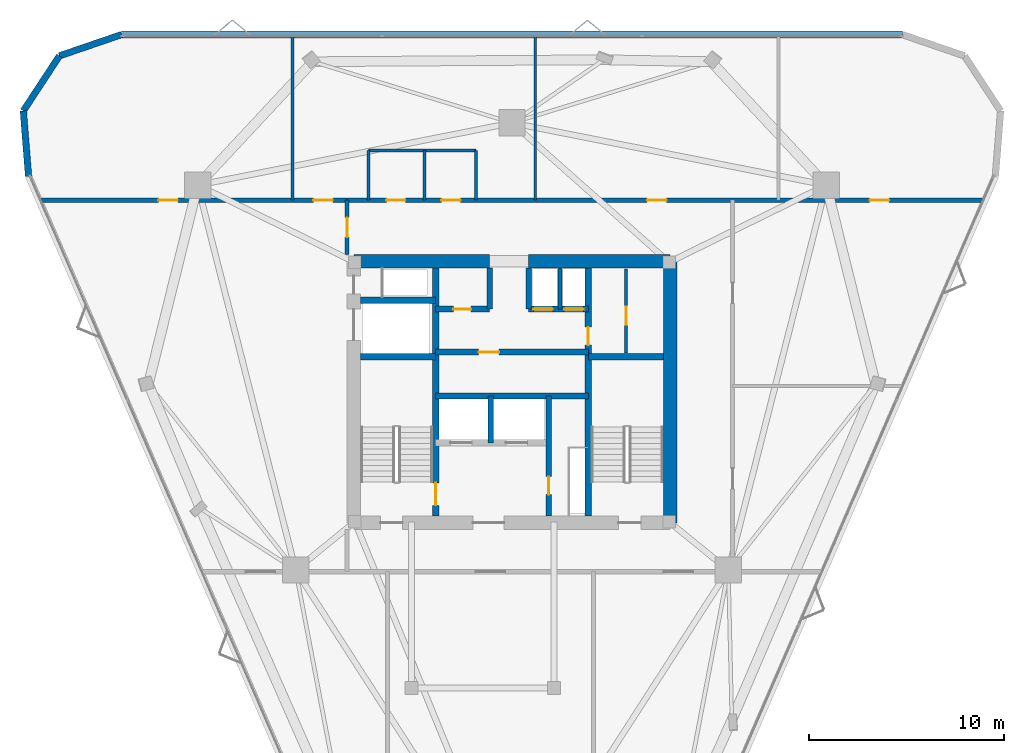
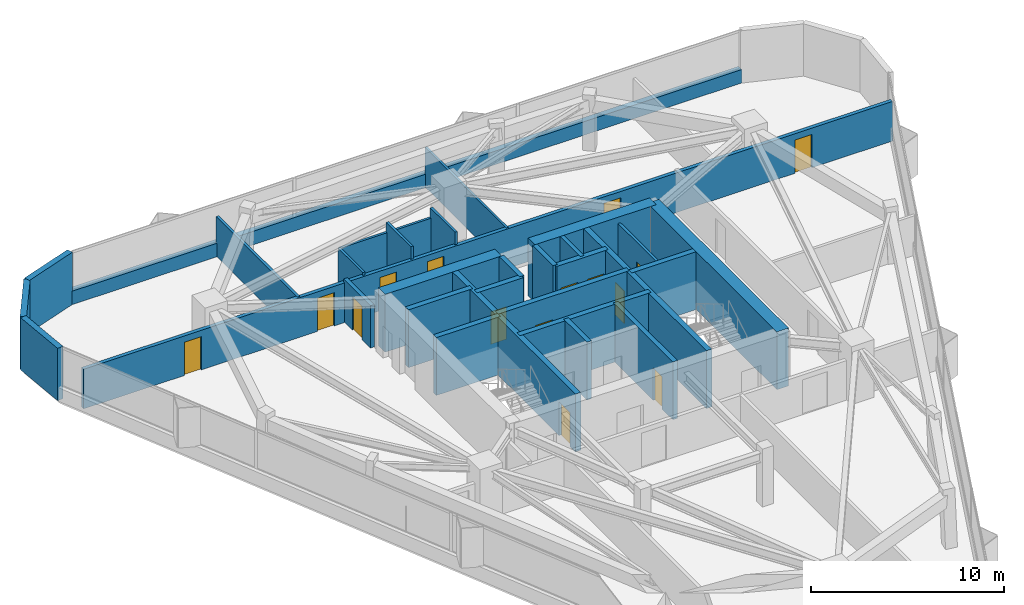
# One storey, part 10 of 12: 30 walls, 15 doors, 15 openings.
"""IFC4 building model written with IfcOpenShell, lengths in metres."""

import ifcopenshell
import ifcopenshell.guid

model = None  # the IFC model being written
_history = None  # IfcOwnerHistory: only IFC2X3 demands one
_inside = {}  # id of a spatial element -> (the spatial element, [elements in it])
_under = {}  # id of a project, library or spatial element -> (it, [spatial elements below it])
_declared = {}  # id of a project -> (the project, [libraries it declares])
_typed = {}  # id of a type object -> (the type object, [elements of that type])
_made_of = {}  # id of a material, layer set ... -> (it, [elements and type objects made of it])


def new_model(schema):
    """Start an empty IFC model of exactly this schema.

    Asked for "IFC4X3", IfcOpenShell would pick the latest addendum, in which some entities
    have other attributes; the version numbers below select the first issue.
    IFC2X3 requires an IfcOwnerHistory on every rooted entity: one is made here for all.
    """
    global model, _history
    if schema == "IFC4X3":
        model = ifcopenshell.file(schema_version=(4, 3, 0, 0))
    else:
        model = ifcopenshell.file(schema=schema)
    _inside.clear()
    _under.clear()
    _declared.clear()
    _typed.clear()
    _made_of.clear()
    _history = None
    if model.schema == "IFC2X3":
        org = make("IfcOrganization", Name="unknown")
        user = make(
            "IfcPersonAndOrganization",
            ThePerson=make("IfcPerson", FamilyName="unknown"),
            TheOrganization=org,
        )
        app = make(
            "IfcApplication",
            ApplicationDeveloper=org,
            Version="unknown",
            ApplicationFullName="unknown",
            ApplicationIdentifier="unknown",
        )
        _history = make(
            "IfcOwnerHistory",
            OwningUser=user,
            OwningApplication=app,
            ChangeAction="ADDED",
            CreationDate=0,
        )
    return model


def make(cls, **values):
    """One entity of the class cls with the attributes given. An attribute that is None is left unset."""
    return model.create_entity(
        cls, **{name: value for name, value in values.items() if value is not None}
    )


def rooted(cls, **values):
    """An entity with a GlobalId (a new one), such as an element, a storey or a relation."""
    return make(cls, GlobalId=ifcopenshell.guid.new(), OwnerHistory=_history, **values)


def si_unit(unit_type, name, prefix=None):
    """IfcSIUnit, for example si_unit("LENGTHUNIT", "METRE", prefix="MILLI")."""
    return make("IfcSIUnit", UnitType=unit_type, Prefix=prefix, Name=name)


def assignment(units):
    """IfcUnitAssignment: the units of a project."""
    return None if units is None else make("IfcUnitAssignment", Units=units)


def point(xyz):
    """IfcCartesianPoint."""
    return None if xyz is None else make("IfcCartesianPoint", Coordinates=xyz)


def direction(xyz):
    """IfcDirection."""
    return None if xyz is None else make("IfcDirection", DirectionRatios=xyz)


def frame(location, z_axis=None, x_axis=None):
    """IfcAxis2Placement3D, a coordinate frame: its origin and axes. An axis left out is left unset."""
    return make(
        "IfcAxis2Placement3D",
        Location=point(location),
        Axis=direction(z_axis),
        RefDirection=direction(x_axis),
    )


def frame_2d(location, x_axis=None):
    """IfcAxis2Placement2D, a coordinate frame in the plane: its origin and x axis."""
    return make(
        "IfcAxis2Placement2D", Location=point(location), RefDirection=direction(x_axis)
    )


def origin():
    """The frame at (0, 0, 0) with its axes left unset."""
    return frame((0.0, 0.0, 0.0))


def place(relative_to, where):
    """IfcLocalPlacement: puts the frame where relative to a parent placement (None: the world)."""
    return make(
        "IfcLocalPlacement", PlacementRelTo=relative_to, RelativePlacement=where
    )


def context(
    kind, dimensions, precision=None, world=None, true_north=None, identifier=None
):
    """IfcGeometricRepresentationContext, for example the 3D "Model" context."""
    return make(
        "IfcGeometricRepresentationContext",
        ContextIdentifier=identifier,
        ContextType=kind,
        CoordinateSpaceDimension=dimensions,
        Precision=precision,
        WorldCoordinateSystem=world,
        TrueNorth=true_north,
    )


def subcontext(parent, identifier, kind, view, scale=None):
    """IfcGeometricRepresentationSubContext, for example "Body" below "Model"."""
    return make(
        "IfcGeometricRepresentationSubContext",
        ContextIdentifier=identifier,
        ContextType=kind,
        ParentContext=parent,
        TargetScale=scale,
        TargetView=view,
    )


def project(units=None, contexts=None):
    """IfcProject with its units and contexts."""
    return rooted(
        "IfcProject",
        Name="project",
        RepresentationContexts=contexts,
        UnitsInContext=assignment(units),
    )


def spatial(cls, under=None, at=None, **own):
    """A site, building, storey or space (cls), placed at a placement, below another one or the project."""
    s = rooted(cls, ObjectPlacement=at, **own)
    if under is not None:
        _under.setdefault(under.id(), (under, []))[1].append(s)
    return s


def profile(cls, at=None, kind="AREA", **sizes):
    """A parametric profile (cls). Its sizes go by their IFC names, for example OverallWidth=200.0."""
    return make(cls, ProfileType=kind, Position=at, **sizes)


def rectangle(**sizes):
    """IfcRectangleProfileDef."""
    return profile("IfcRectangleProfileDef", **sizes)


def extrude(swept, where, along, depth):
    """IfcExtrudedAreaSolid: the profile swept, set in the frame where, extruded along a direction by depth."""
    return make(
        "IfcExtrudedAreaSolid",
        SweptArea=swept,
        Position=where,
        ExtrudedDirection=direction(along),
        Depth=depth,
    )


def shape(context_of_items, identifier, shape_type, items):
    """IfcShapeRepresentation: the items that make up one representation, for example the "Body"."""
    return make(
        "IfcShapeRepresentation",
        ContextOfItems=context_of_items,
        RepresentationIdentifier=identifier,
        RepresentationType=shape_type,
        Items=items,
    )


def material(Name=None, Category=None):
    """IfcMaterial."""
    return make("IfcMaterial", Name=Name, Category=Category)


def layer(
    of_material, thickness, ventilated=None, Name=None, Category=None, Priority=None
):
    """IfcMaterialLayer: one layer of a wall or slab, of a material (None: an air gap)."""
    return make(
        "IfcMaterialLayer",
        Material=of_material,
        LayerThickness=thickness,
        IsVentilated=ventilated,
        Name=Name,
        Category=Category,
        Priority=Priority,
    )


def layer_set(layers, Name=None):
    """IfcMaterialLayerSet."""
    return make("IfcMaterialLayerSet", MaterialLayers=layers, LayerSetName=Name)


def made_of(thing, what):
    """Note that an element or type object is made of a material, layer set ...; save() writes the relation."""
    if what is not None:
        _made_of.setdefault(what.id(), (what, []))[1].append(thing)
    return thing


def type_object(cls, material=None, **own):
    """A type object (cls), such as IfcWallType, which elements share."""
    return made_of(rooted(cls, **own), material)


def element(
    cls,
    number,
    at=None,
    inside=None,
    cuts=None,
    type_object=None,
    material=None,
    context=None,
    identifier="Body",
    shape_type=None,
    held_by="IfcProductDefinitionShape",
    body=None,
    shapes=None,
    **own,
):
    """One element of the class cls, such as IfcWall. Its Tag is "e" and its number.

    at: its placement. inside: the storey or other place that contains it. cuts: it is an
    opening in that element (IfcRelVoidsElement). A single representation is given by context,
    identifier, shape_type and body (its items); several are given by shapes. held_by: the class
    of the entity that holds the representations. save() writes the other relations.
    """
    e = rooted(cls, Tag="e%d" % number, ObjectPlacement=at, **own)
    if body is not None:
        shapes = [shape(context, identifier, shape_type, body)]
    if shapes is not None:
        e.Representation = make(held_by, Representations=shapes)
    if inside is not None:
        _inside.setdefault(inside.id(), (inside, []))[1].append(e)
    if cuts is not None:
        rooted(
            "IfcRelVoidsElement", RelatingBuildingElement=cuts, RelatedOpeningElement=e
        )
    if type_object is not None:
        _typed.setdefault(type_object.id(), (type_object, []))[1].append(e)
    return made_of(e, material)


def fill(opening, filler):
    """IfcRelFillsElement: the door or window that sits in an opening."""
    return rooted(
        "IfcRelFillsElement",
        RelatingOpeningElement=opening,
        RelatedBuildingElement=filler,
    )


def aggregate(whole, parts):
    """IfcRelAggregates: a whole, such as a stair, and the parts it consists of."""
    return rooted("IfcRelAggregates", RelatingObject=whole, RelatedObjects=parts)


def save(model, path):
    """Write the relations noted so far, then the file.

    IfcRelAggregates (storeys below a building ...), IfcRelContainedInSpatialStructure (elements
    in a storey), IfcRelDefinesByType, IfcRelAssociatesMaterial and IfcRelDeclares: one each for
    every whole, place, type object, material and project.
    """
    for whole, parts in _under.values():
        aggregate(whole, parts)
    for where, things in _inside.values():
        rooted(
            "IfcRelContainedInSpatialStructure",
            RelatedElements=things,
            RelatingStructure=where,
        )
    for kind, things in _typed.values():
        rooted("IfcRelDefinesByType", RelatedObjects=things, RelatingType=kind)
    for what, things in _made_of.values():
        rooted("IfcRelAssociatesMaterial", RelatedObjects=things, RelatingMaterial=what)
    for by, libraries in _declared.values():
        rooted("IfcRelDeclares", RelatingContext=by, RelatedDefinitions=libraries)
    model.write(path)


model = new_model("IFC4")

# Units and contexts
model_context = context("Model", 3, precision=1e-05, world=origin(), true_north=direction((0.0, 1.0)))
body_context = subcontext(model_context, "Body", "Model", "MODEL_VIEW")
ifc_project = project(units=[si_unit("LENGTHUNIT", "METRE"), si_unit("AREAUNIT", "SQUARE_METRE"), si_unit("VOLUMEUNIT", "CUBIC_METRE"), si_unit("PLANEANGLEUNIT", "RADIAN"), si_unit("MASSUNIT", "GRAM", prefix="KILO")], contexts=[model_context])

# Site, building, storey
site_placement = place(None, origin())
site = spatial("IfcSite", under=ifc_project, at=site_placement, CompositionType="ELEMENT")
building_placement = place(site_placement, origin())
building = spatial("IfcBuilding", under=site, at=building_placement, Name="Talyreon Biosciences Tower", CompositionType="ELEMENT")
storey_placement = place(building_placement, frame((0.0, 0.0, 219.550048828125)))
storey = spatial("IfcBuildingStorey", under=building, at=storey_placement, Name="L58", CompositionType="ELEMENT", Elevation=219.550048828125)

# Walls
ifc_material_1 = material(Name="Concrete C50/60", Category="concrete")
ifc_layer_1 = layer(ifc_material_1, 0.219970703125)
ifc_layer_set_1 = layer_set([ifc_layer_1], Name="Concrete C50/60")
wall_type_1 = type_object("IfcWallType", Name="CoreShearWall_220", PredefinedType="SHEAR", material=ifc_layer_set_1)
wall_1_placement = place(storey_placement, frame((68.4599609375, 72.25, 0.0), z_axis=(0.0, 0.0, 1.0), x_axis=(0.0, 1.0, 0.0)))
element("IfcWall", 1, at=wall_1_placement, inside=storey, type_object=wall_type_1, Name="L58 Core Shaft Wall SWPHD", PredefinedType="SHEAR", context=body_context, shape_type="SweptSolid", body=[
    extrude(rectangle(XDim=2.10009765625, YDim=0.219970703125, at=frame_2d((1.050048828125, 0.0))), origin(), (0.0, 0.0, 1.0), 3.64990234375),
])
ifc_layer_2 = layer(ifc_material_1, 0.280029296875)
ifc_layer_set_2 = layer_set([ifc_layer_2], Name="Concrete C50/60")
wall_type_2 = type_object("IfcWallType", Name="CoreShearWall_280", PredefinedType="SHEAR", material=ifc_layer_set_2)
wall_2_placement = place(storey_placement, frame((64.919921875, 65.39990234375, 0.0), z_axis=(0.0, 0.0, 1.0), x_axis=(0.0, 1.0, 0.0)))
element("IfcWall", 2, at=wall_2_placement, inside=storey, type_object=wall_type_2, Name="L58 Core Shaft Wall SWSHD1", PredefinedType="SHEAR", context=body_context, shape_type="SweptSolid", body=[
    extrude(rectangle(XDim=2.400146484375, YDim=0.280029296875, at=frame_2d((1.2001953125, 0.0))), origin(), (0.0, 0.0, 1.0), 3.64990234375),
])
for number, where, z_axis, x_axis, name in (
    (3, (64.85009765625, 72.25, 0.0), (0.0, 0.0, 1.0), (0.0, 1.0, 0.0), "L58 Core Shaft Wall SWTHW"),
    (4, (66.85009765625, 72.25, 0.0), (0.0, 0.0, 1.0), (0.0, 1.0, 0.0), "L58 Core Shaft Wall SWTHE"),
):
    element("IfcWall", number, at=place(storey_placement, frame(where, z_axis=z_axis, x_axis=x_axis)), inside=storey, type_object=wall_type_2, Name=name, PredefinedType="SHEAR", context=body_context, shape_type="SweptSolid", body=[
        extrude(rectangle(XDim=2.10009765625, YDim=0.280029296875, at=frame_2d((1.050048828125, 0.0))), origin(), (0.0, 0.0, 1.0), 3.64990234375),
    ])

# Wall, opening, door
wall_3_placement = place(storey_placement, frame((67.8798828125, 61.64990234375, 0.0), z_axis=(0.0, 0.0, 1.0), x_axis=(0.0, 1.0, 0.0)))
wall_3 = element("IfcWall", 5, at=wall_3_placement, inside=storey, type_object=wall_type_2, Name="L58 Core Shaft Wall SWFFE", PredefinedType="SHEAR", context=body_context, shape_type="SweptSolid", body=[
    extrude(rectangle(XDim=6.150146484375, YDim=0.280029296875, at=frame_2d((3.0751953125, 0.0))), origin(), (0.0, 0.0, 1.0), 3.64990234375),
])
opening_1_placement = place(wall_3_placement, frame((1.10009765625, 0.0, 0.0)))
opening_1 = element("IfcOpeningElement", 6, at=opening_1_placement, cuts=wall_3, Name="Opening DR-L58-RSE", PredefinedType="OPENING", context=body_context, shape_type="SweptSolid", body=[
    extrude(rectangle(XDim=0.919921875, YDim=2.050048828125, at=frame_2d((0.4599609375, 1.02490234375))), frame((0.0, 0.14990234375, 0.0), z_axis=(0.0, -1.0, 0.0), x_axis=(1.0, 0.0, 0.0)), (0.0, 0.0, 1.0), 0.300048828125),
])
ifc_material_2 = material(Name="Painted steel fire-rated riser door", Category="steel")
door_type_1 = type_object("IfcDoorType", Name="RiserPlantAccessDoor_920x2050", OperationType="NOTDEFINED", PredefinedType="DOOR", material=ifc_material_2)
door_1_placement = place(opening_1_placement, origin())
door_1 = element("IfcDoor", 7, at=door_1_placement, inside=storey, type_object=door_type_1, Name="L58 Core Door DR-L58-RSE", OperationType="SINGLE_SWING_RIGHT", OverallHeight=2.050048828125, OverallWidth=0.919921875, PredefinedType="DOOR", context=body_context, shape_type="SweptSolid", body=[
    extrude(rectangle(XDim=0.919921875, YDim=2.050048828125, at=frame_2d((0.4599609375, 1.02490234375))), frame((0.0, 0.02490234375, 0.0), z_axis=(0.0, -1.0, 0.0), x_axis=(1.0, 0.0, 0.0)), (0.0, 0.0, 1.0), 0.050048828125),
])
fill(opening_1, door_1)

ifc_layer_3 = layer(ifc_material_1, 0.320068359375)
ifc_layer_set_3 = layer_set([ifc_layer_3], Name="Concrete C50/60")
wall_type_3 = type_object("IfcWallType", Name="CoreShearWall_320", PredefinedType="SHEAR", material=ifc_layer_set_3)
wall_4_placement = place(storey_placement, frame((62.090087890625, 61.64990234375, 0.0), z_axis=(0.0, 0.0, 1.0), x_axis=(0.0, 1.0, 0.0)))
wall_4 = element("IfcWall", 8, at=wall_4_placement, inside=storey, type_object=wall_type_3, Name="L58 Core Shaft Wall SW1E", PredefinedType="SHEAR", context=body_context, shape_type="SweptSolid", body=[
    extrude(rectangle(XDim=12.7001953125, YDim=0.320068359375, at=frame_2d((6.35009765625, 0.0))), origin(), (0.0, 0.0, 1.0), 3.64990234375),
])
opening_2_placement = place(wall_4_placement, frame((0.550048828125, 0.0, 0.0)))
opening_2 = element("IfcOpeningElement", 9, at=opening_2_placement, cuts=wall_4, Name="Opening DR-L58-FF-ST1", PredefinedType="OPENING", context=body_context, shape_type="SweptSolid", body=[
    extrude(rectangle(XDim=1.14990234375, YDim=2.14990234375, at=frame_2d((0.574951171875, 1.074951171875))), frame((0.0, 0.169921875, 0.0), z_axis=(0.0, -1.0, 0.0), x_axis=(1.0, 0.0, 0.0)), (0.0, 0.0, 1.0), 0.340087890625),
])
ifc_material_3 = material(Name="Painted steel fire door", Category="steel")
door_type_2 = type_object("IfcDoorType", Name="StairShaftFireDoor_1150x2150", OperationType="NOTDEFINED", PredefinedType="DOOR", material=ifc_material_3)
door_2_placement = place(opening_2_placement, origin())
door_2 = element("IfcDoor", 10, at=door_2_placement, inside=storey, type_object=door_type_2, Name="L58 Core Door DR-L58-FF-ST1", OperationType="SINGLE_SWING_LEFT", OverallHeight=2.14990234375, OverallWidth=1.14990234375, PredefinedType="DOOR", context=body_context, shape_type="SweptSolid", body=[
    extrude(rectangle(XDim=1.14990234375, YDim=2.14990234375, at=frame_2d((0.574951171875, 1.074951171875))), frame((0.0, 0.02490234375, 0.0), z_axis=(0.0, -1.0, 0.0), x_axis=(1.0, 0.0, 0.0)), (0.0, 0.0, 1.0), 0.050048828125),
])
fill(opening_2, door_2)

wall_5_placement = place(storey_placement, frame((69.909912109375, 61.64990234375, 0.0), z_axis=(0.0, 0.0, 1.0), x_axis=(0.0, 1.0, 0.0)))
wall_5 = element("IfcWall", 11, at=wall_5_placement, inside=storey, type_object=wall_type_3, Name="L58 Core Shaft Wall SW2W", PredefinedType="SHEAR", context=body_context, shape_type="SweptSolid", body=[
    extrude(rectangle(XDim=12.7001953125, YDim=0.320068359375, at=frame_2d((6.35009765625, 0.0))), origin(), (0.0, 0.0, 1.0), 3.64990234375),
])
opening_3_placement = place(wall_5_placement, frame((8.75, 0.0, 0.0)))
opening_3 = element("IfcOpeningElement", 12, at=opening_3_placement, cuts=wall_5, Name="Opening DR-L58-CSRV", PredefinedType="OPENING", context=body_context, shape_type="SweptSolid", body=[
    extrude(rectangle(XDim=0.919921875, YDim=2.050048828125, at=frame_2d((0.4599609375, 1.02490234375))), frame((0.0, 0.169921875, 0.0), z_axis=(0.0, -1.0, 0.0), x_axis=(1.0, 0.0, 0.0)), (0.0, 0.0, 1.0), 0.340087890625),
])
door_3_placement = place(opening_3_placement, origin())
door_3 = element("IfcDoor", 13, at=door_3_placement, inside=storey, type_object=door_type_1, Name="L58 Core Door DR-L58-CSRV", OperationType="SINGLE_SWING_RIGHT", OverallHeight=2.050048828125, OverallWidth=0.919921875, PredefinedType="DOOR", context=body_context, shape_type="SweptSolid", body=[
    extrude(rectangle(XDim=0.919921875, YDim=2.050048828125, at=frame_2d((0.4599609375, 1.02490234375))), frame((0.0, 0.02490234375, 0.0), z_axis=(0.0, -1.0, 0.0), x_axis=(1.0, 0.0, 0.0)), (0.0, 0.0, 1.0), 0.050048828125),
])
fill(opening_3, door_3)

# Walls
for number, where, z_axis, x_axis, name in (
    (14, (58.25, 69.81005859375, 0.0), (0.0, 0.0, 1.0), (1.0, 0.0, 0.0), "L58 Core Shaft Wall SW1N"),
    (15, (69.909912109375, 69.81005859375, 0.0), (0.0, 0.0, 1.0), (1.0, 0.0, 0.0), "L58 Core Shaft Wall SW2N"),
    (16, (58.25, 72.699951171875, 0.0), (0.0, 0.0, 1.0), (1.0, 0.0, 0.0), "L58 Core Shaft Wall SWGLN"),
):
    element("IfcWall", number, at=place(storey_placement, frame(where, z_axis=z_axis, x_axis=x_axis)), inside=storey, type_object=wall_type_3, Name=name, PredefinedType="SHEAR", context=body_context, shape_type="SweptSolid", body=[
        extrude(rectangle(XDim=3.840087890625, YDim=0.320068359375, at=frame_2d((1.919921875, 0.0))), origin(), (0.0, 0.0, 1.0), 3.64990234375),
    ])
wall_6_placement = place(storey_placement, frame((62.090087890625, 67.800048828125, 0.0), z_axis=(0.0, 0.0, 1.0), x_axis=(1.0, 0.0, 0.0)))
element("IfcWall", 17, at=wall_6_placement, inside=storey, type_object=wall_type_3, Name="L58 Core Shaft Wall SWSHM", PredefinedType="SHEAR", context=body_context, shape_type="SweptSolid", body=[
    extrude(rectangle(XDim=7.81982421875, YDim=0.320068359375, at=frame_2d((3.909912109375, 0.0))), origin(), (0.0, 0.0, 1.0), 3.64990234375),
])

# Wall, opening, door
wall_7_placement = place(storey_placement, frame((62.090087890625, 70.050048828125, 0.0), z_axis=(0.0, 0.0, 1.0), x_axis=(1.0, 0.0, 0.0)))
wall_7 = element("IfcWall", 18, at=wall_7_placement, inside=storey, type_object=wall_type_3, Name="L58 Core Shaft Wall SWSPN", PredefinedType="SHEAR", context=body_context, shape_type="SweptSolid", body=[
    extrude(rectangle(XDim=7.81982421875, YDim=0.320068359375, at=frame_2d((3.909912109375, 0.0))), origin(), (0.0, 0.0, 1.0), 3.64990234375),
])
opening_4_placement = place(wall_7_placement, frame((2.199951171875, 0.0, 0.0)))
opening_4 = element("IfcOpeningElement", 19, at=opening_4_placement, cuts=wall_7, Name="Opening DR-L58-PLPMFREE", PredefinedType="OPENING", context=body_context, shape_type="SweptSolid", body=[
    extrude(rectangle(XDim=1.050048828125, YDim=2.14990234375, at=frame_2d((0.52490234375, 1.074951171875))), frame((0.0, 0.169921875, 0.0), z_axis=(0.0, -1.0, 0.0), x_axis=(1.0, 0.0, 0.0)), (0.0, 0.0, 1.0), 0.340087890625),
])
ifc_material_4 = material(Name="Acoustic timber-core laboratory door", Category="wood")
door_type_3 = type_object("IfcDoorType", Name="DryLabSingleDoor_1050x2150", OperationType="NOTDEFINED", PredefinedType="DOOR", material=ifc_material_4)
door_4_placement = place(opening_4_placement, origin())
door_4 = element("IfcDoor", 20, at=door_4_placement, inside=storey, type_object=door_type_3, Name="L58 Core Door DR-L58-PLPMFREE", OperationType="SINGLE_SWING_LEFT", OverallHeight=2.14990234375, OverallWidth=1.050048828125, PredefinedType="DOOR", context=body_context, shape_type="SweptSolid", body=[
    extrude(rectangle(XDim=1.050048828125, YDim=2.14990234375, at=frame_2d((0.52490234375, 1.074951171875))), frame((0.0, 0.02490234375, 0.0), z_axis=(0.0, -1.0, 0.0), x_axis=(1.0, 0.0, 0.0)), (0.0, 0.0, 1.0), 0.050048828125),
])
fill(opening_4, door_4)

wall_8_placement = place(storey_placement, frame((62.090087890625, 72.25, 0.0), z_axis=(0.0, 0.0, 1.0), x_axis=(1.0, 0.0, 0.0)))
wall_8 = element("IfcWall", 21, at=wall_8_placement, inside=storey, type_object=wall_type_3, Name="L58 Core Shaft Wall SWNPW", PredefinedType="SHEAR", context=body_context, shape_type="SweptSolid", body=[
    extrude(rectangle(XDim=2.760009765625, YDim=0.320068359375, at=frame_2d((1.3798828125, 0.0))), origin(), (0.0, 0.0, 1.0), 3.64990234375),
])
opening_5_placement = place(wall_8_placement, frame((0.89990234375, 0.0, 0.0)))
opening_5 = element("IfcOpeningElement", 22, at=opening_5_placement, cuts=wall_8, Name="Opening DR-L58-PM2FREE", PredefinedType="OPENING", context=body_context, shape_type="SweptSolid", body=[
    extrude(rectangle(XDim=0.919921875, YDim=2.050048828125, at=frame_2d((0.4599609375, 1.02490234375))), frame((0.0, 0.169921875, 0.0), z_axis=(0.0, -1.0, 0.0), x_axis=(1.0, 0.0, 0.0)), (0.0, 0.0, 1.0), 0.340087890625),
])
door_5_placement = place(opening_5_placement, origin())
door_5 = element("IfcDoor", 23, at=door_5_placement, inside=storey, type_object=door_type_1, Name="L58 Core Door DR-L58-PM2FREE", OperationType="SINGLE_SWING_RIGHT", OverallHeight=2.050048828125, OverallWidth=0.919921875, PredefinedType="DOOR", context=body_context, shape_type="SweptSolid", body=[
    extrude(rectangle(XDim=0.919921875, YDim=2.050048828125, at=frame_2d((0.4599609375, 1.02490234375))), frame((0.0, 0.02490234375, 0.0), z_axis=(0.0, -1.0, 0.0), x_axis=(1.0, 0.0, 0.0)), (0.0, 0.0, 1.0), 0.050048828125),
])
fill(opening_5, door_5)

# Wall, openings, doors
wall_9_placement = place(storey_placement, frame((66.85009765625, 72.25, 0.0), z_axis=(0.0, 0.0, 1.0), x_axis=(1.0, 0.0, 0.0)))
wall_9 = element("IfcWall", 24, at=wall_9_placement, inside=storey, type_object=wall_type_3, Name="L58 Core Shaft Wall SWNPE", PredefinedType="SHEAR", context=body_context, shape_type="SweptSolid", body=[
    extrude(rectangle(XDim=3.059814453125, YDim=0.320068359375, at=frame_2d((1.52978515625, 0.0))), origin(), (0.0, 0.0, 1.0), 3.64990234375),
])
opening_6_placement = place(wall_9_placement, frame((0.25, 0.0, 0.0)))
opening_6 = element("IfcOpeningElement", 25, at=opening_6_placement, cuts=wall_9, Name="Opening LD-L58-PH1", PredefinedType="OPENING", context=body_context, shape_type="SweptSolid", body=[
    extrude(rectangle(XDim=1.0, YDim=2.199951171875, at=frame_2d((0.5, 1.10009765625))), frame((0.0, 0.169921875, 0.0), z_axis=(0.0, -1.0, 0.0), x_axis=(1.0, 0.0, 0.0)), (0.0, 0.0, 1.0), 0.340087890625),
])
opening_7_placement = place(wall_9_placement, frame((1.820068359375, 0.0, 0.0)))
opening_7 = element("IfcOpeningElement", 26, at=opening_7_placement, cuts=wall_9, Name="Opening LD-L58-PH2", PredefinedType="OPENING", context=body_context, shape_type="SweptSolid", body=[
    extrude(rectangle(XDim=1.0, YDim=2.199951171875, at=frame_2d((0.5, 1.10009765625))), frame((0.0, 0.169921875, 0.0), z_axis=(0.0, -1.0, 0.0), x_axis=(1.0, 0.0, 0.0)), (0.0, 0.0, 1.0), 0.340087890625),
])
ifc_material_5 = material(Name="Brushed stainless-steel lift landing door", Category="steel")
door_type_4 = type_object("IfcDoorType", Name="LiftSlidingLandingDoor_1100x2200", OperationType="SLIDING_TO_LEFT", PredefinedType="DOOR", material=ifc_material_5)
door_6_placement = place(opening_6_placement, origin())
door_6 = element("IfcDoor", 27, at=door_6_placement, inside=storey, type_object=door_type_4, Name="L58 Core Door LD-L58-PH1", OperationType="SLIDING_TO_LEFT", OverallHeight=2.199951171875, OverallWidth=1.0, PredefinedType="DOOR", context=body_context, shape_type="SweptSolid", body=[
    extrude(rectangle(XDim=1.0, YDim=2.199951171875, at=frame_2d((0.5, 1.10009765625))), frame((0.0, 0.02490234375, 0.0), z_axis=(0.0, -1.0, 0.0), x_axis=(1.0, 0.0, 0.0)), (0.0, 0.0, 1.0), 0.050048828125),
])
fill(opening_6, door_6)
door_7_placement = place(opening_7_placement, origin())
door_7 = element("IfcDoor", 28, at=door_7_placement, inside=storey, type_object=door_type_4, Name="L58 Core Door LD-L58-PH2", OperationType="SLIDING_TO_LEFT", OverallHeight=2.199951171875, OverallWidth=1.0, PredefinedType="DOOR", context=body_context, shape_type="SweptSolid", body=[
    extrude(rectangle(XDim=1.0, YDim=2.199951171875, at=frame_2d((0.5, 1.10009765625))), frame((0.0, 0.02490234375, 0.0), z_axis=(0.0, -1.0, 0.0), x_axis=(1.0, 0.0, 0.0)), (0.0, 0.0, 1.0), 0.050048828125),
])
fill(opening_7, door_7)

# Walls
ifc_layer_4 = layer(ifc_material_1, 0.699951171875)
ifc_layer_set_4 = layer_set([ifc_layer_4], Name="Concrete C50/60")
wall_type_4 = type_object("IfcWallType", Name="CoreShearWall_700", PredefinedType="SHEAR", material=ifc_layer_set_4)
wall_10_placement = place(storey_placement, frame((74.10009765625, 61.300048828125, 0.0), z_axis=(0.0, 0.0, 1.0), x_axis=(0.0, 1.0, 0.0)))
element("IfcWall", 29, at=wall_10_placement, inside=storey, type_object=wall_type_4, Name="L58 Core Shear Wall E", PredefinedType="SHEAR", context=body_context, shape_type="SweptSolid", body=[
    extrude(rectangle(XDim=13.39990234375, YDim=0.699951171875, at=frame_2d((6.699951171875, 0.0))), origin(), (0.0, 0.0, 1.0), 3.64990234375),
])
wall_11_placement = place(storey_placement, frame((74.10009765625, 74.699951171875, 0.0), z_axis=(0.0, 0.0, 1.0), x_axis=(-1.0, 0.0, 0.0)))
element("IfcWall", 30, at=wall_11_placement, inside=storey, type_object=wall_type_4, Name="L58 Core Shear Wall NE", PredefinedType="SHEAR", context=body_context, shape_type="SweptSolid", body=[
    extrude(rectangle(XDim=7.25, YDim=0.699951171875, at=frame_2d((3.625, 0.0))), origin(), (0.0, 0.0, 1.0), 3.64990234375),
])
wall_12_placement = place(storey_placement, frame((64.85009765625, 74.699951171875, 0.0), z_axis=(0.0, 0.0, 1.0), x_axis=(-1.0, 0.0, 0.0)))
element("IfcWall", 31, at=wall_12_placement, inside=storey, type_object=wall_type_4, Name="L58 Core Shear Wall NW", PredefinedType="SHEAR", context=body_context, shape_type="SweptSolid", body=[
    extrude(rectangle(XDim=6.9501953125, YDim=0.699951171875, at=frame_2d((3.47509765625, 0.0))), origin(), (0.0, 0.0, 1.0), 3.64990234375),
])

# Wall, openings, doors
ifc_material_6 = material(Name="Gypsum fireboard acoustic stud", Category="gypsum")
ifc_layer_5 = layer(ifc_material_6, 0.219970703125)
ifc_layer_set_5 = layer_set([ifc_layer_5], Name="Gypsum fireboard acoustic stud")
wall_type_5 = type_object("IfcWallType", Name="CorridorRatedPartition_220", PredefinedType="PARTITIONING", material=ifc_layer_set_5)
wall_13_placement = place(storey_placement, frame((41.8515625, 77.830078125, 0.0), z_axis=(0.0, 0.0, 1.0), x_axis=(1.0, 0.0, 0.0)))
wall_13 = element("IfcWall", 32, at=wall_13_placement, inside=storey, type_object=wall_type_5, Name="L58 Interior Wall IW-L58-COR-N", PredefinedType="PARTITIONING", context=body_context, shape_type="SweptSolid", body=[
    extrude(rectangle(XDim=48.296875, YDim=0.219970703125, at=frame_2d((24.1484375, 0.0))), origin(), (0.0, 0.0, 1.0), 2.5),
])
opening_8_placement = place(wall_13_placement, frame((17.7080078125, 0.0, 0.0)))
opening_8 = element("IfcOpeningElement", 33, at=opening_8_placement, cuts=wall_13, Name="Opening DR-L58-WC", PredefinedType="OPENING", context=body_context, shape_type="SweptSolid", body=[
    extrude(rectangle(XDim=0.97998046875, YDim=2.10009765625, at=frame_2d((0.489990234375, 1.050048828125))), frame((0.0, 0.119873046875, 0.0), z_axis=(0.0, -1.0, 0.0), x_axis=(1.0, 0.0, 0.0)), (0.0, 0.0, 1.0), 0.239990234375),
])
opening_9_placement = place(wall_13_placement, frame((20.532958984375, 0.0, 0.0)))
opening_9 = element("IfcOpeningElement", 34, at=opening_9_placement, cuts=wall_13, Name="Opening DR-L58-AWC", PredefinedType="OPENING", context=body_context, shape_type="SweptSolid", body=[
    extrude(rectangle(XDim=0.97998046875, YDim=2.10009765625, at=frame_2d((0.489990234375, 1.050048828125))), frame((0.0, 0.119873046875, 0.0), z_axis=(0.0, -1.0, 0.0), x_axis=(1.0, 0.0, 0.0)), (0.0, 0.0, 1.0), 0.239990234375),
])
opening_10_placement = place(wall_13_placement, frame((6.02587890625, 0.0, 0.0)))
opening_10 = element("IfcOpeningElement", 35, at=opening_10_placement, cuts=wall_13, Name="Opening DR-L58-N1A", PredefinedType="OPENING", context=body_context, shape_type="SweptSolid", body=[
    extrude(rectangle(XDim=1.0, YDim=2.10009765625, at=frame_2d((0.5, 1.050048828125))), frame((0.0, 0.119873046875, 0.0), z_axis=(0.0, -1.0, 0.0), x_axis=(1.0, 0.0, 0.0)), (0.0, 0.0, 1.0), 0.239990234375),
])
opening_11_placement = place(wall_13_placement, frame((13.968017578125, 0.0, 0.0)))
opening_11 = element("IfcOpeningElement", 36, at=opening_11_placement, cuts=wall_13, Name="Opening DR-L58-N2A", PredefinedType="OPENING", context=body_context, shape_type="SweptSolid", body=[
    extrude(rectangle(XDim=1.0, YDim=2.10009765625, at=frame_2d((0.5, 1.050048828125))), frame((0.0, 0.119873046875, 0.0), z_axis=(0.0, -1.0, 0.0), x_axis=(1.0, 0.0, 0.0)), (0.0, 0.0, 1.0), 0.239990234375),
])
opening_12_placement = place(wall_13_placement, frame((31.072021484375, 0.0, 0.0)))
opening_12 = element("IfcOpeningElement", 37, at=opening_12_placement, cuts=wall_13, Name="Opening DR-L58-N3A", PredefinedType="OPENING", context=body_context, shape_type="SweptSolid", body=[
    extrude(rectangle(XDim=1.0, YDim=2.10009765625, at=frame_2d((0.5, 1.050048828125))), frame((0.0, 0.119873046875, 0.0), z_axis=(0.0, -1.0, 0.0), x_axis=(1.0, 0.0, 0.0)), (0.0, 0.0, 1.0), 0.239990234375),
])
opening_13_placement = place(wall_13_placement, frame((42.470947265625, 0.0, 0.0)))
opening_13 = element("IfcOpeningElement", 38, at=opening_13_placement, cuts=wall_13, Name="Opening DR-L58-N4A", PredefinedType="OPENING", context=body_context, shape_type="SweptSolid", body=[
    extrude(rectangle(XDim=1.0, YDim=2.10009765625, at=frame_2d((0.5, 1.050048828125))), frame((0.0, 0.119873046875, 0.0), z_axis=(0.0, -1.0, 0.0), x_axis=(1.0, 0.0, 0.0)), (0.0, 0.0, 1.0), 0.239990234375),
])
ifc_material_7 = material(Name="Laminate moisture-resistant door", Category="wood")
door_type_5 = type_object("IfcDoorType", Name="AccessibleToiletDoor_980x2100", OperationType="NOTDEFINED", PredefinedType="DOOR", material=ifc_material_7)
door_8_placement = place(opening_8_placement, origin())
door_8 = element("IfcDoor", 39, at=door_8_placement, inside=storey, type_object=door_type_5, Name="L58 Interior Door DR-L58-WC", OperationType="SINGLE_SWING_LEFT", OverallHeight=2.10009765625, OverallWidth=0.97998046875, PredefinedType="DOOR", context=body_context, shape_type="SweptSolid", body=[
    extrude(rectangle(XDim=0.97998046875, YDim=2.10009765625, at=frame_2d((0.489990234375, 1.050048828125))), frame((0.0, 0.02490234375, 0.0), z_axis=(0.0, -1.0, 0.0), x_axis=(1.0, 0.0, 0.0)), (0.0, 0.0, 1.0), 0.050048828125),
])
fill(opening_8, door_8)
door_9_placement = place(opening_9_placement, origin())
door_9 = element("IfcDoor", 40, at=door_9_placement, inside=storey, type_object=door_type_5, Name="L58 Interior Door DR-L58-AWC", OperationType="SINGLE_SWING_LEFT", OverallHeight=2.10009765625, OverallWidth=0.97998046875, PredefinedType="DOOR", context=body_context, shape_type="SweptSolid", body=[
    extrude(rectangle(XDim=0.97998046875, YDim=2.10009765625, at=frame_2d((0.489990234375, 1.050048828125))), frame((0.0, 0.02490234375, 0.0), z_axis=(0.0, -1.0, 0.0), x_axis=(1.0, 0.0, 0.0)), (0.0, 0.0, 1.0), 0.050048828125),
])
fill(opening_9, door_9)
ifc_material_8 = material(Name="Acoustic oak veneer office door", Category="wood")
door_type_6 = type_object("IfcDoorType", Name="WriteupOfficeDoor_1000x2100", OperationType="NOTDEFINED", PredefinedType="DOOR", material=ifc_material_8)
door_10_placement = place(opening_10_placement, origin())
door_10 = element("IfcDoor", 41, at=door_10_placement, inside=storey, type_object=door_type_6, Name="L58 Interior Door DR-L58-N1A", OperationType="SINGLE_SWING_LEFT", OverallHeight=2.10009765625, OverallWidth=1.0, PredefinedType="DOOR", context=body_context, shape_type="SweptSolid", body=[
    extrude(rectangle(XDim=1.0, YDim=2.10009765625, at=frame_2d((0.5, 1.050048828125))), frame((0.0, 0.02490234375, 0.0), z_axis=(0.0, -1.0, 0.0), x_axis=(1.0, 0.0, 0.0)), (0.0, 0.0, 1.0), 0.050048828125),
])
fill(opening_10, door_10)
door_11_placement = place(opening_11_placement, origin())
door_11 = element("IfcDoor", 42, at=door_11_placement, inside=storey, type_object=door_type_6, Name="L58 Interior Door DR-L58-N2A", OperationType="SINGLE_SWING_LEFT", OverallHeight=2.10009765625, OverallWidth=1.0, PredefinedType="DOOR", context=body_context, shape_type="SweptSolid", body=[
    extrude(rectangle(XDim=1.0, YDim=2.10009765625, at=frame_2d((0.5, 1.050048828125))), frame((0.0, 0.02490234375, 0.0), z_axis=(0.0, -1.0, 0.0), x_axis=(1.0, 0.0, 0.0)), (0.0, 0.0, 1.0), 0.050048828125),
])
fill(opening_11, door_11)
door_12_placement = place(opening_12_placement, origin())
door_12 = element("IfcDoor", 43, at=door_12_placement, inside=storey, type_object=door_type_6, Name="L58 Interior Door DR-L58-N3A", OperationType="SINGLE_SWING_RIGHT", OverallHeight=2.10009765625, OverallWidth=1.0, PredefinedType="DOOR", context=body_context, shape_type="SweptSolid", body=[
    extrude(rectangle(XDim=1.0, YDim=2.10009765625, at=frame_2d((0.5, 1.050048828125))), frame((0.0, 0.02490234375, 0.0), z_axis=(0.0, -1.0, 0.0), x_axis=(1.0, 0.0, 0.0)), (0.0, 0.0, 1.0), 0.050048828125),
])
fill(opening_12, door_12)
door_13_placement = place(opening_13_placement, origin())
door_13 = element("IfcDoor", 44, at=door_13_placement, inside=storey, type_object=door_type_6, Name="L58 Interior Door DR-L58-N4A", OperationType="SINGLE_SWING_RIGHT", OverallHeight=2.10009765625, OverallWidth=1.0, PredefinedType="DOOR", context=body_context, shape_type="SweptSolid", body=[
    extrude(rectangle(XDim=1.0, YDim=2.10009765625, at=frame_2d((0.5, 1.050048828125))), frame((0.0, 0.02490234375, 0.0), z_axis=(0.0, -1.0, 0.0), x_axis=(1.0, 0.0, 0.0)), (0.0, 0.0, 1.0), 0.050048828125),
])
fill(opening_13, door_13)

# Wall, opening, door
wall_14_placement = place(storey_placement, frame((57.550048828125, 75.050048828125, 0.0), z_axis=(0.0, 0.0, 1.0), x_axis=(0.0, 1.0, 0.0)))
wall_14 = element("IfcWall", 45, at=wall_14_placement, inside=storey, type_object=wall_type_5, Name="L58 Interior Wall IW-L58-WCAP-N", PredefinedType="PARTITIONING", context=body_context, shape_type="SweptSolid", body=[
    extrude(rectangle(XDim=2.780029296875, YDim=0.219970703125, at=frame_2d((1.39013671875, 0.0))), origin(), (0.0, 0.0, 1.0), 2.679931640625),
])
opening_14_placement = place(wall_14_placement, frame((0.889892578125, 0.0, 0.0)))
opening_14 = element("IfcOpeningElement", 46, at=opening_14_placement, cuts=wall_14, Name="Opening DR-L58-W1A", PredefinedType="OPENING", context=body_context, shape_type="SweptSolid", body=[
    extrude(rectangle(XDim=1.0, YDim=2.10009765625, at=frame_2d((0.5, 1.050048828125))), frame((0.0, 0.119873046875, 0.0), z_axis=(0.0, -1.0, 0.0), x_axis=(1.0, 0.0, 0.0)), (0.0, 0.0, 1.0), 0.239990234375),
])
door_14_placement = place(opening_14_placement, origin())
door_14 = element("IfcDoor", 47, at=door_14_placement, inside=storey, type_object=door_type_6, Name="L58 Interior Door DR-L58-W1A", OperationType="SINGLE_SWING_LEFT", OverallHeight=2.10009765625, OverallWidth=1.0, PredefinedType="DOOR", context=body_context, shape_type="SweptSolid", body=[
    extrude(rectangle(XDim=1.0, YDim=2.10009765625, at=frame_2d((0.5, 1.050048828125))), frame((0.0, 0.02490234375, 0.0), z_axis=(0.0, -1.0, 0.0), x_axis=(1.0, 0.0, 0.0)), (0.0, 0.0, 1.0), 0.050048828125),
])
fill(opening_14, door_14)

ifc_material_9 = material(Name="Gypsum acoustic stud partition", Category="gypsum")
ifc_layer_6 = layer(ifc_material_9, 0.159912109375)
ifc_layer_set_6 = layer_set([ifc_layer_6], Name="Gypsum acoustic stud partition")
wall_type_6 = type_object("IfcWallType", Name="LabSeparationPartition_160", PredefinedType="PARTITIONING", material=ifc_layer_set_6)
wall_15_placement = place(storey_placement, frame((71.85009765625, 70.0, 0.0), z_axis=(0.0, 0.0, 1.0), x_axis=(0.0, 1.0, 0.0)))
wall_15 = element("IfcWall", 48, at=wall_15_placement, inside=storey, type_object=wall_type_6, Name="L58 Interior Wall IW-L58-CSRV-V", PredefinedType="PARTITIONING", context=body_context, shape_type="SweptSolid", body=[
    extrude(rectangle(XDim=4.300048828125, YDim=0.159912109375, at=frame_2d((2.14990234375, 0.0))), origin(), (0.0, 0.0, 1.0), 3.300048828125),
])
opening_15_placement = place(wall_15_placement, frame((1.449951171875, 0.0, 0.0)))
opening_15 = element("IfcOpeningElement", 49, at=opening_15_placement, cuts=wall_15, Name="Opening DR-L58-CSRV-I", PredefinedType="OPENING", context=body_context, shape_type="SweptSolid", body=[
    extrude(rectangle(XDim=0.919921875, YDim=2.050048828125, at=frame_2d((0.4599609375, 1.02490234375))), frame((0.0, 0.08984375, 0.0), z_axis=(0.0, -1.0, 0.0), x_axis=(1.0, 0.0, 0.0)), (0.0, 0.0, 1.0), 0.179931640625),
])
door_15_placement = place(opening_15_placement, origin())
door_15 = element("IfcDoor", 50, at=door_15_placement, inside=storey, type_object=door_type_1, Name="L58 Interior Door DR-L58-CSRV-I", OperationType="SINGLE_SWING_RIGHT", OverallHeight=2.050048828125, OverallWidth=0.919921875, PredefinedType="DOOR", context=body_context, shape_type="SweptSolid", body=[
    extrude(rectangle(XDim=0.919921875, YDim=2.050048828125, at=frame_2d((0.4599609375, 1.02490234375))), frame((0.0, 0.02490234375, 0.0), z_axis=(0.0, -1.0, 0.0), x_axis=(1.0, 0.0, 0.0)), (0.0, 0.0, 1.0), 0.050048828125),
])
fill(opening_15, door_15)

# Walls
wall_16_placement = place(storey_placement, frame((54.7529296875, 77.830078125, 0.0), z_axis=(0.0, 0.0, 1.0), x_axis=(0.0, 1.0, 0.0)))
element("IfcWall", 51, at=wall_16_placement, inside=storey, type_object=wall_type_6, Name="L58 Interior Wall IW-L58-NDIV1", PredefinedType="PARTITIONING", context=body_context, shape_type="SweptSolid", body=[
    extrude(rectangle(XDim=8.4033203125, YDim=0.159912109375, at=frame_2d((4.20166015625, 0.0))), origin(), (0.0, 0.0, 1.0), 2.5),
])
ifc_layer_7 = layer(ifc_material_9, 0.1298828125)
ifc_layer_set_7 = layer_set([ifc_layer_7], Name="Gypsum acoustic stud partition")
wall_type_7 = type_object("IfcWallType", Name="OfficeWriteupPartition_130", PredefinedType="PARTITIONING", material=ifc_layer_set_7)
wall_17_placement = place(storey_placement, frame((67.199951171875, 77.830078125, 0.0), z_axis=(0.0, 0.0, 1.0), x_axis=(0.0, 1.0, 0.0)))
element("IfcWall", 52, at=wall_17_placement, inside=storey, type_object=wall_type_7, Name="L58 Interior Wall IW-L58-NDIV2", PredefinedType="PARTITIONING", context=body_context, shape_type="SweptSolid", body=[
    extrude(rectangle(XDim=8.4033203125, YDim=0.1298828125, at=frame_2d((4.20166015625, 0.0))), origin(), (0.0, 0.0, 1.0), 2.5),
])
ifc_material_10 = material(Name="Precast concrete C45/55", Category="concrete")
ifc_layer_8 = layer(ifc_material_10, 0.340087890625)
ifc_layer_set_8 = layer_set([ifc_layer_8], Name="Precast concrete C45/55")
wall_type_8 = type_object("IfcWallType", Name="PrecastConcreteSpandrelWall_340", PredefinedType="STANDARD", material=ifc_layer_set_8)
wall_18_placement = place(storey_placement, frame((41.23046875, 79.046875, 0.0), z_axis=(0.0, 0.0, 1.0), x_axis=(-0.079598407838, 0.996827012811, 0.0)))
element("IfcWall", 53, at=wall_18_placement, inside=storey, type_object=wall_type_8, Name="L58 Rounded-Corner Concrete Pier 01", PredefinedType="STANDARD", context=body_context, shape_type="SweptSolid", body=[
    extrude(rectangle(XDim=3.370849609375, YDim=0.340087890625, at=frame_2d((1.685546875, 0.0))), origin(), (0.0, 0.0, 1.0), 3.300048828125),
])
wall_19_placement = place(storey_placement, frame((40.962158203125, 82.406982421875, 0.0), z_axis=(0.0, 0.0, 1.0), x_axis=(0.548450776456, 0.836182842329, 0.0)))
element("IfcWall", 54, at=wall_19_placement, inside=storey, type_object=wall_type_8, Name="L58 Rounded-Corner Concrete Pier 02", PredefinedType="STANDARD", context=body_context, shape_type="SweptSolid", body=[
    extrude(rectangle(XDim=3.37109375, YDim=0.340087890625, at=frame_2d((1.685546875, 0.0))), origin(), (0.0, 0.0, 1.0), 3.300048828125),
])
wall_20_placement = place(storey_placement, frame((42.81103515625, 85.225830078125, 0.0), z_axis=(0.0, 0.0, 1.0), x_axis=(0.946021467082, 0.324103970693, 0.0)))
element("IfcWall", 55, at=wall_20_placement, inside=storey, type_object=wall_type_8, Name="L58 Rounded-Corner Concrete Pier 03", PredefinedType="STANDARD", context=body_context, shape_type="SweptSolid", body=[
    extrude(rectangle(XDim=3.370849609375, YDim=0.340087890625, at=frame_2d((1.685546875, 0.0))), origin(), (0.0, 0.0, 1.0), 3.300048828125),
])
wall_21_placement = place(storey_placement, frame((46.0, 86.318359375, 0.0), z_axis=(0.0, 0.0, 1.0), x_axis=(1.0, 0.0, 0.0)))
element("IfcWall", 56, at=wall_21_placement, inside=storey, type_object=wall_type_8, Name="L58 Expressed Concrete Sill Wall 04", PredefinedType="STANDARD", context=body_context, shape_type="SweptSolid", body=[
    extrude(rectangle(XDim=40.0, YDim=0.340087890625, at=frame_2d((20.0, 0.0))), origin(), (0.0, 0.0, 1.0), 0.849853515625),
])
ifc_material_11 = material(Name="Moisture-resistant cement-board stud", Category="gypsum")
ifc_layer_9 = layer(ifc_material_11, 0.14501953125)
ifc_layer_set_9 = layer_set([ifc_layer_9], Name="Moisture-resistant cement-board stud")
wall_type_9 = type_object("IfcWallType", Name="WetRoomPartition_145", PredefinedType="PARTITIONING", material=ifc_layer_set_9)
wall_22_placement = place(storey_placement, frame((58.64990234375, 77.830078125, 0.0), z_axis=(0.0, 0.0, 1.0), x_axis=(0.0, 1.0, 0.0)))
element("IfcWall", 57, at=wall_22_placement, inside=storey, type_object=wall_type_9, Name="L58 Interior Wall IW-L58-WCL", PredefinedType="PARTITIONING", context=body_context, shape_type="SweptSolid", body=[
    extrude(rectangle(XDim=2.5498046875, YDim=0.14501953125, at=frame_2d((1.27490234375, 0.0))), origin(), (0.0, 0.0, 1.0), 2.679931640625),
])
for number, where, z_axis, x_axis, name in (
    (58, (61.52490234375, 77.830078125, 0.0), (0.0, 0.0, 1.0), (0.0, 1.0, 0.0), "L58 Interior Wall IW-L58-WCM"),
    (59, (64.14990234375, 77.830078125, 0.0), (0.0, 0.0, 1.0), (0.0, 1.0, 0.0), "L58 Interior Wall IW-L58-WCR"),
):
    element("IfcWall", number, at=place(storey_placement, frame(where, z_axis=z_axis, x_axis=x_axis)), inside=storey, type_object=wall_type_9, Name=name, PredefinedType="PARTITIONING", context=body_context, shape_type="SweptSolid", body=[
        extrude(rectangle(XDim=2.5498046875, YDim=0.14501953125, at=frame_2d((1.27490234375, 0.0))), origin(), (0.0, 0.0, 1.0), 3.300048828125),
    ])
wall_23_placement = place(storey_placement, frame((58.64990234375, 80.3798828125, 0.0), z_axis=(0.0, 0.0, 1.0), x_axis=(1.0, 0.0, 0.0)))
element("IfcWall", 60, at=wall_23_placement, inside=storey, type_object=wall_type_9, Name="L58 Interior Wall IW-L58-WCT", PredefinedType="PARTITIONING", context=body_context, shape_type="SweptSolid", body=[
    extrude(rectangle(XDim=5.5, YDim=0.14501953125, at=frame_2d((2.75, 0.0))), origin(), (0.0, 0.0, 1.0), 2.679931640625),
])

save(model, "model.ifc")
